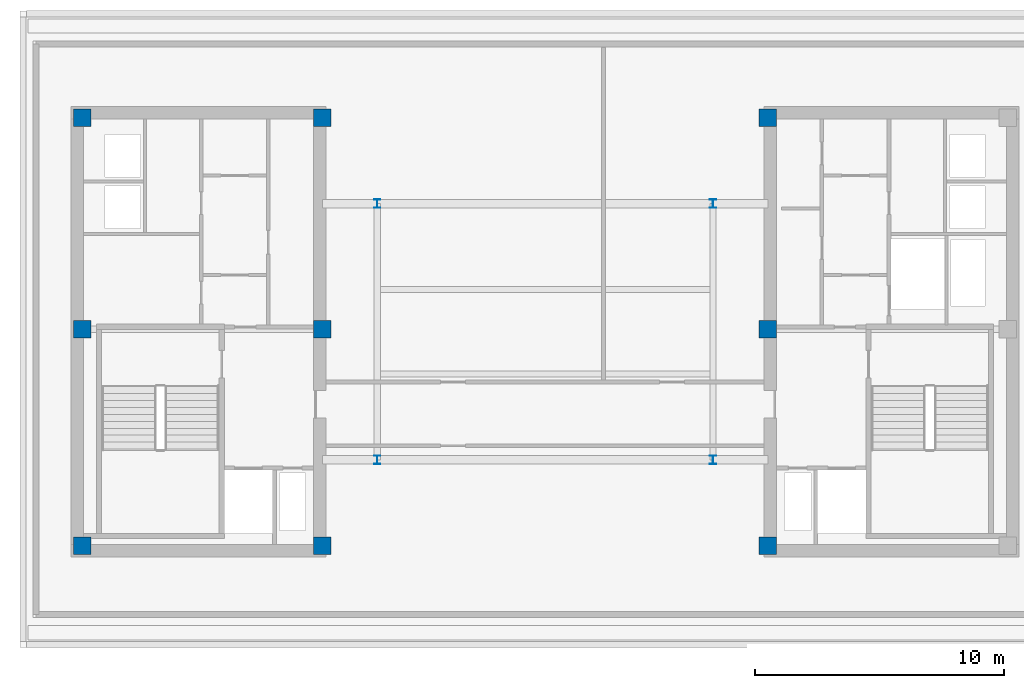
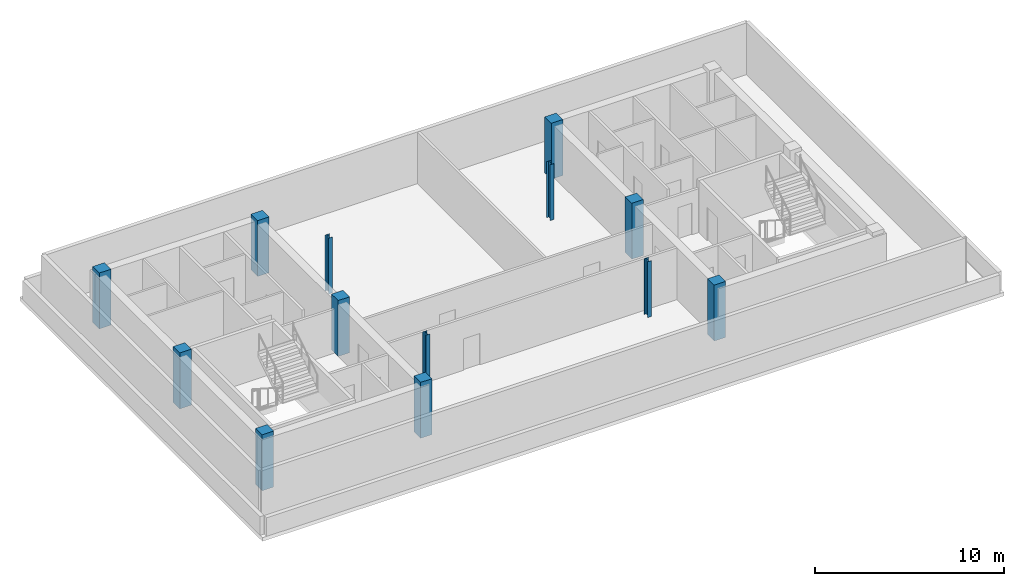
# One storey, part 1 of 7: 13 columns.
"""IFC4 building model written with IfcOpenShell, lengths in metres."""

from ifc_helpers import new_model, si_unit, direction, frame, origin, origin_2d, place, context, subcontext, project, spatial, rectangle, i_section, extrude, material, material_profile, profile_set, type_object, element, save


model = new_model("IFC4")

# Units and contexts
model_context = context("Model", 3, precision=1e-05, world=origin(), true_north=direction((0.0, 1.0)))
body_context = subcontext(model_context, "Body", "Model", "MODEL_VIEW")
ifc_project = project(units=[si_unit("LENGTHUNIT", "METRE"), si_unit("AREAUNIT", "SQUARE_METRE"), si_unit("VOLUMEUNIT", "CUBIC_METRE"), si_unit("PLANEANGLEUNIT", "RADIAN"), si_unit("MASSUNIT", "GRAM", prefix="KILO")], contexts=[model_context])

# Site, building, storey
site_placement = place(None, origin())
site = spatial("IfcSite", under=ifc_project, at=site_placement, CompositionType="ELEMENT")
building_placement = place(site_placement, origin())
building = spatial("IfcBuilding", under=site, at=building_placement, Name="Velakula Bourse", CompositionType="ELEMENT")
storey_placement = place(building_placement, frame((0.0, 0.0, 297.75)))
storey = spatial("IfcBuildingStorey", under=building, at=storey_placement, Name="L81", CompositionType="ELEMENT", Elevation=297.75)

# Columns
ifc_material_1 = material(Name="Steel IS 2062 Grade 350 (E350)", Category="steel")
ifc_material_profile_1 = material_profile(ifc_material_1, i_section(OverallWidth=0.25, OverallDepth=0.35009765625, WebThickness=0.010009765625, FlangeThickness=0.01171875, at=origin_2d()), Name="Steel IS 2062 Grade 350 (E350)")
ifc_profile_set_1 = profile_set([ifc_material_profile_1], Name="Steel IS 2062 Grade 350 (E350)")
column_type_1 = type_object("IfcColumnType", Name="COL-CRN-350", PredefinedType="COLUMN", material=ifc_profile_set_1)
for number, where, z_axis, x_axis, name in (
    (1, (-6.75, -5.14990234375, 0.0), (0.0, 0.0, 1.0), (1.0, 0.0, 0.0), "L81 Central Spine Column 01"),
    (2, (-6.75, 5.14990234375, 0.0), (0.0, 0.0, 1.0), (1.0, 0.0, 0.0), "L81 Central Spine Column 02"),
    (3, (6.75, -5.14990234375, 0.0), (0.0, 0.0, 1.0), (1.0, 0.0, 0.0), "L81 Central Spine Column 03"),
    (4, (6.75, 5.14990234375, 0.0), (0.0, 0.0, 1.0), (1.0, 0.0, 0.0), "L81 Central Spine Column 04"),
):
    element("IfcColumn", number, at=place(storey_placement, frame(where, z_axis=z_axis, x_axis=x_axis)), inside=storey, type_object=column_type_1, Name=name, PredefinedType="COLUMN", context=body_context, shape_type="SweptSolid", body=[
        extrude(i_section(OverallWidth=0.25, OverallDepth=0.35009765625, WebThickness=0.010009765625, FlangeThickness=0.01171875, at=origin_2d()), origin(), (0.0, 0.0, 1.0), 3.60009765625),
    ])
ifc_material_2 = material(Name="Concrete M50 (fck 50 MPa)", Category="concrete")
ifc_material_profile_2 = material_profile(ifc_material_2, rectangle(XDim=0.699951171875, YDim=0.699951171875, at=origin_2d()), Name="Concrete M50 (fck 50 MPa)")
ifc_profile_set_2 = profile_set([ifc_material_profile_2], Name="Concrete M50 (fck 50 MPa)")
column_type_2 = type_object("IfcColumnType", Name="COL-RC-700", PredefinedType="COLUMN", material=ifc_profile_set_2)
for number, where, z_axis, x_axis, name in (
    (5, (-8.949951171875, -8.60009765625, 0.0), (0.0, 0.0, 1.0), (1.0, 0.0, 0.0), "L81 Core Boundary Column 01"),
    (6, (-8.949951171875, 0.10009765625, 0.0), (0.0, 0.0, 1.0), (1.0, 0.0, 0.0), "L81 Core Boundary Column 02"),
    (7, (-8.949951171875, 8.60009765625, 0.0), (0.0, 0.0, 1.0), (1.0, 0.0, 0.0), "L81 Core Boundary Column 03"),
    (8, (-18.60009765625, -8.60009765625, 0.0), (0.0, 0.0, 1.0), (1.0, 0.0, 0.0), "L81 Core Boundary Column 04"),
    (9, (-18.60009765625, 0.10009765625, 0.0), (0.0, 0.0, 1.0), (1.0, 0.0, 0.0), "L81 Core Boundary Column 05"),
    (10, (-18.60009765625, 8.60009765625, 0.0), (0.0, 0.0, 1.0), (1.0, 0.0, 0.0), "L81 Core Boundary Column 06"),
    (11, (8.949951171875, -8.60009765625, 0.0), (0.0, 0.0, 1.0), (1.0, 0.0, 0.0), "L81 Core Boundary Column 07"),
    (12, (8.949951171875, 0.10009765625, 0.0), (0.0, 0.0, 1.0), (1.0, 0.0, 0.0), "L81 Core Boundary Column 08"),
    (13, (8.949951171875, 8.60009765625, 0.0), (0.0, 0.0, 1.0), (1.0, 0.0, 0.0), "L81 Core Boundary Column 09"),
):
    element("IfcColumn", number, at=place(storey_placement, frame(where, z_axis=z_axis, x_axis=x_axis)), inside=storey, type_object=column_type_2, Name=name, PredefinedType="COLUMN", context=body_context, shape_type="SweptSolid", body=[
        extrude(rectangle(XDim=0.699951171875, YDim=0.699951171875, at=origin_2d()), origin(), (0.0, 0.0, 1.0), 3.60009765625),
    ])

save(model, "model.ifc")
